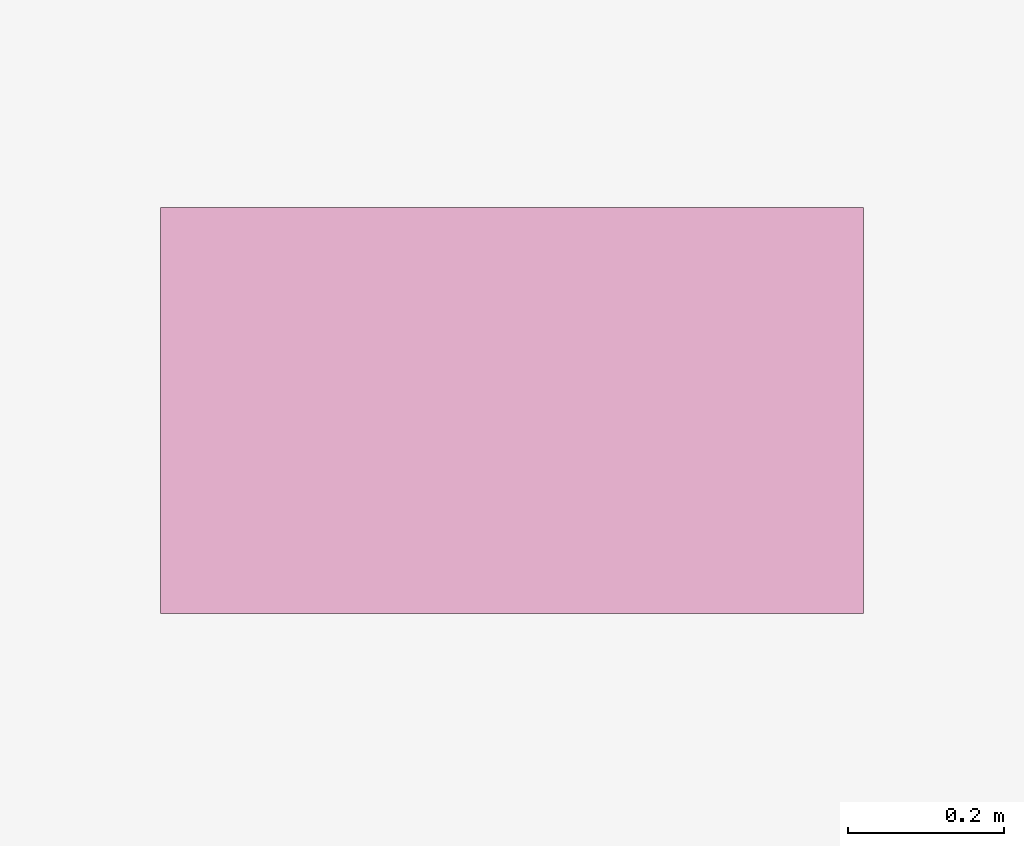
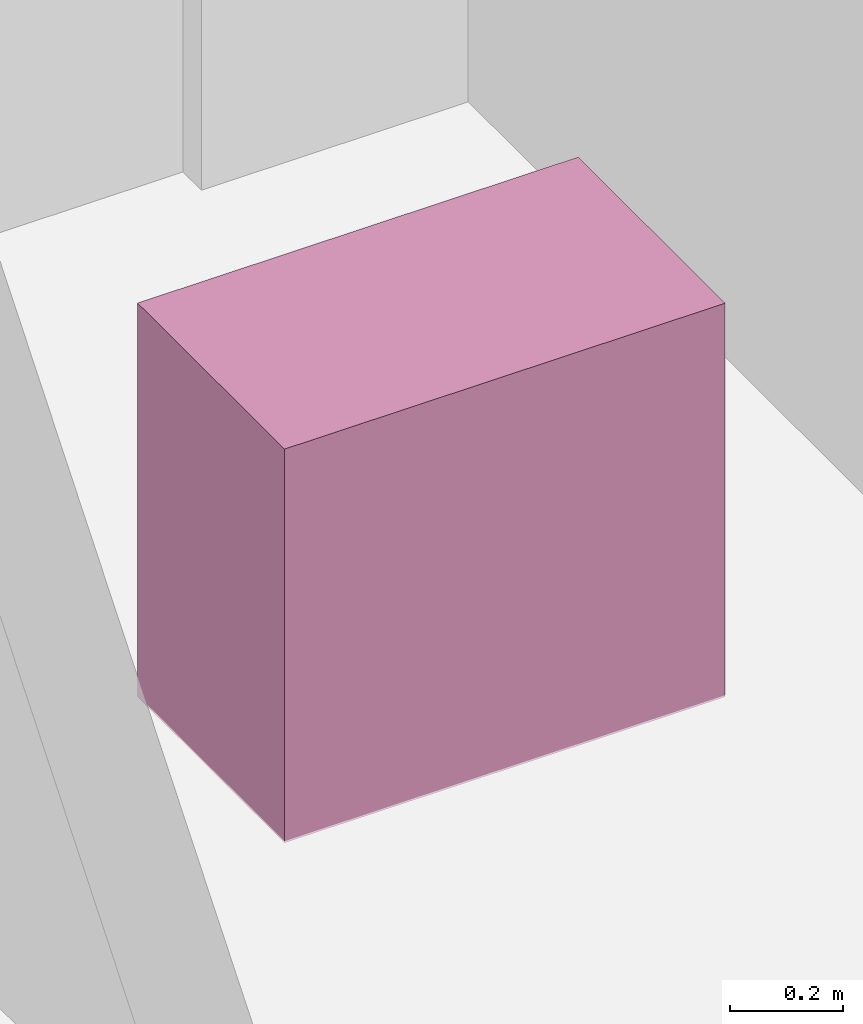
# One storey, part 31 of 31: 1 furnishing.
"""IFC4 building model written with IfcOpenShell, lengths in metres."""

from ifc_helpers import new_model, si_unit, direction, frame, origin, origin_2d, place, context, subcontext, project, spatial, rectangle, extrude, material, type_object, element, save


model = new_model("IFC4")

# Units and contexts
model_context = context("Model", 3, precision=1e-05, world=origin(), true_north=direction((0.0, 1.0)))
body_context = subcontext(model_context, "Body", "Model", "MODEL_VIEW")
ifc_project = project(units=[si_unit("LENGTHUNIT", "METRE"), si_unit("AREAUNIT", "SQUARE_METRE"), si_unit("VOLUMEUNIT", "CUBIC_METRE"), si_unit("PLANEANGLEUNIT", "RADIAN"), si_unit("MASSUNIT", "GRAM", prefix="KILO")], contexts=[model_context])

# Site, building, storey
site_placement = place(None, origin())
site = spatial("IfcSite", under=ifc_project, at=site_placement, CompositionType="ELEMENT")
building_placement = place(site_placement, origin())
building = spatial("IfcBuilding", under=site, at=building_placement, Name="Vorneva Point Tower", CompositionType="ELEMENT")
storey_placement = place(building_placement, frame((0.0, 0.0, 99.800048828125)))
storey = spatial("IfcBuildingStorey", under=building, at=storey_placement, Name="L26", CompositionType="ELEMENT", Elevation=99.800048828125)

# Furnishing
ifc_material = material(Name="Vitreous china and granite top", Category="masonry")
furniture_type = type_object("IfcFurnitureType", Name="FUR-VAN-900", AssemblyPlace="NOTDEFINED", PredefinedType="NOTDEFINED", material=ifc_material)
furnishing_placement = place(storey_placement, frame((34.52490234375, 32.1201171875, -0.005126953125), z_axis=(0.0, 0.0, 1.0), x_axis=(1.0, 0.0, 0.0)))
element("IfcFurnishingElement", 1, at=furnishing_placement, inside=storey, type_object=furniture_type, Name="L26 Accessible WC Vanity Unit", ObjectType="L26 Accessible WC Vanity Unit", context=body_context, shape_type="SweptSolid", body=[
    extrude(rectangle(XDim=0.89990234375, YDim=0.52001953125, at=origin_2d()), origin(), (0.0, 0.0, 1.0), 0.85009765625),
])

save(model, "model.ifc")
